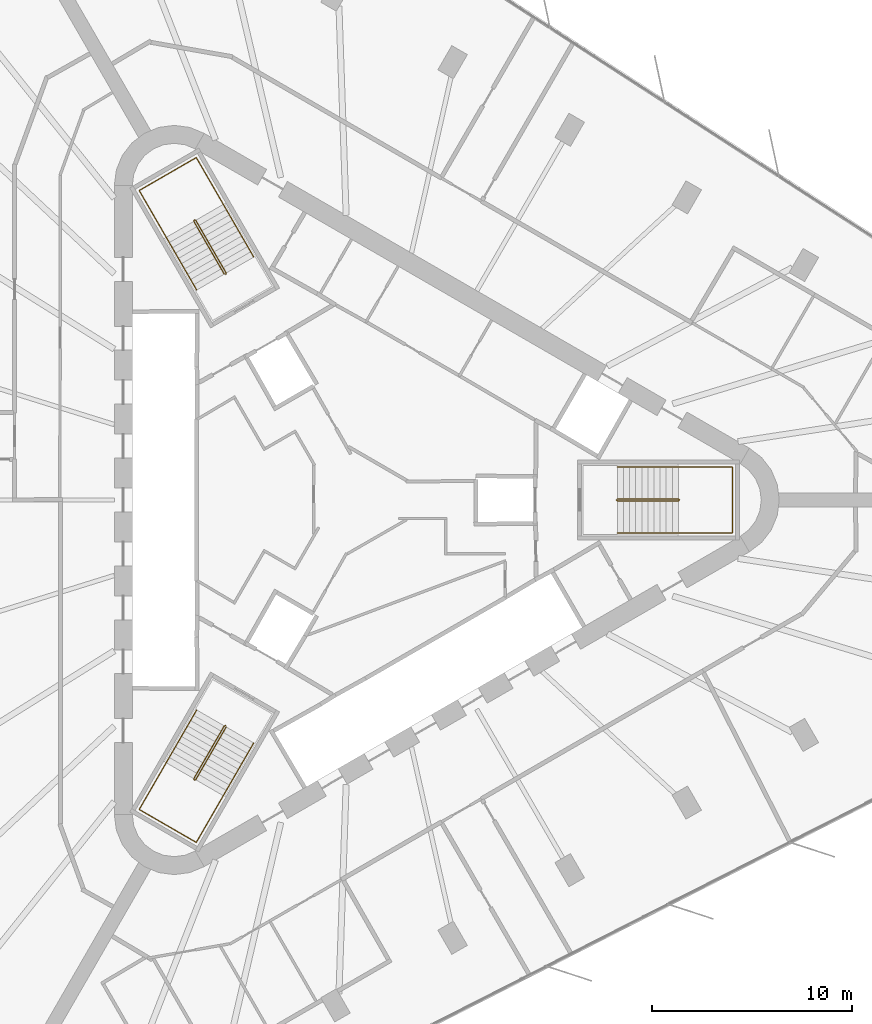
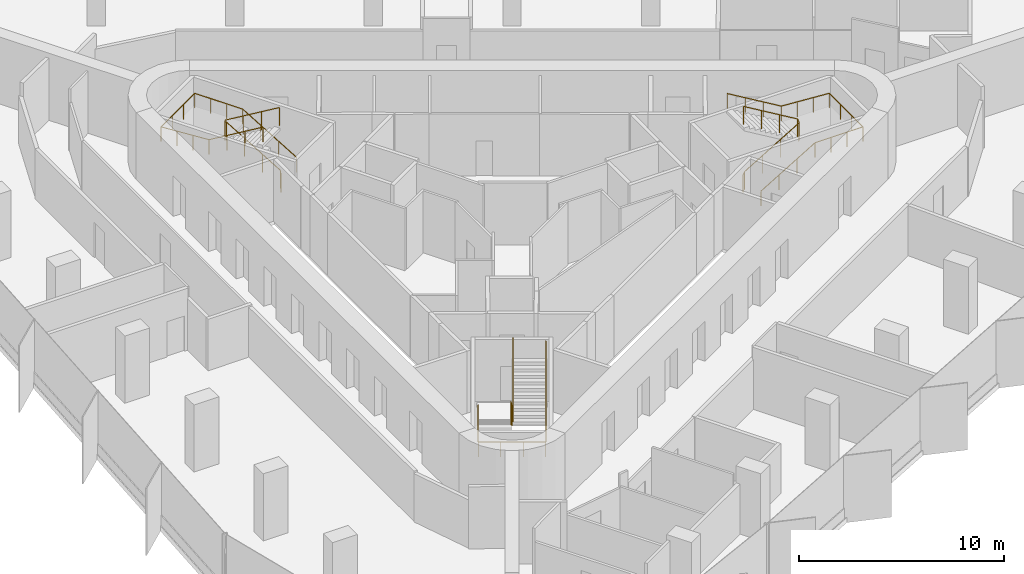
# One storey, part 14 of 14: 6 railings.
"""IFC4 building model written with IfcOpenShell, lengths in metres."""

import ifcopenshell
import ifcopenshell.guid

model = None  # the IFC model being written
_history = None  # IfcOwnerHistory: only IFC2X3 demands one
_inside = {}  # id of a spatial element -> (the spatial element, [elements in it])
_under = {}  # id of a project, library or spatial element -> (it, [spatial elements below it])
_declared = {}  # id of a project -> (the project, [libraries it declares])
_typed = {}  # id of a type object -> (the type object, [elements of that type])
_made_of = {}  # id of a material, layer set ... -> (it, [elements and type objects made of it])


def new_model(schema):
    """Start an empty IFC model of exactly this schema.

    Asked for "IFC4X3", IfcOpenShell would pick the latest addendum, in which some entities
    have other attributes; the version numbers below select the first issue.
    IFC2X3 requires an IfcOwnerHistory on every rooted entity: one is made here for all.
    """
    global model, _history
    if schema == "IFC4X3":
        model = ifcopenshell.file(schema_version=(4, 3, 0, 0))
    else:
        model = ifcopenshell.file(schema=schema)
    _inside.clear()
    _under.clear()
    _declared.clear()
    _typed.clear()
    _made_of.clear()
    _history = None
    if model.schema == "IFC2X3":
        org = make("IfcOrganization", Name="unknown")
        user = make(
            "IfcPersonAndOrganization",
            ThePerson=make("IfcPerson", FamilyName="unknown"),
            TheOrganization=org,
        )
        app = make(
            "IfcApplication",
            ApplicationDeveloper=org,
            Version="unknown",
            ApplicationFullName="unknown",
            ApplicationIdentifier="unknown",
        )
        _history = make(
            "IfcOwnerHistory",
            OwningUser=user,
            OwningApplication=app,
            ChangeAction="ADDED",
            CreationDate=0,
        )
    return model


def make(cls, **values):
    """One entity of the class cls with the attributes given. An attribute that is None is left unset."""
    return model.create_entity(
        cls, **{name: value for name, value in values.items() if value is not None}
    )


def rooted(cls, **values):
    """An entity with a GlobalId (a new one), such as an element, a storey or a relation."""
    return make(cls, GlobalId=ifcopenshell.guid.new(), OwnerHistory=_history, **values)


def si_unit(unit_type, name, prefix=None):
    """IfcSIUnit, for example si_unit("LENGTHUNIT", "METRE", prefix="MILLI")."""
    return make("IfcSIUnit", UnitType=unit_type, Prefix=prefix, Name=name)


def assignment(units):
    """IfcUnitAssignment: the units of a project."""
    return None if units is None else make("IfcUnitAssignment", Units=units)


def point(xyz):
    """IfcCartesianPoint."""
    return None if xyz is None else make("IfcCartesianPoint", Coordinates=xyz)


def direction(xyz):
    """IfcDirection."""
    return None if xyz is None else make("IfcDirection", DirectionRatios=xyz)


def frame(location, z_axis=None, x_axis=None):
    """IfcAxis2Placement3D, a coordinate frame: its origin and axes. An axis left out is left unset."""
    return make(
        "IfcAxis2Placement3D",
        Location=point(location),
        Axis=direction(z_axis),
        RefDirection=direction(x_axis),
    )


def frame_2d(location, x_axis=None):
    """IfcAxis2Placement2D, a coordinate frame in the plane: its origin and x axis."""
    return make(
        "IfcAxis2Placement2D", Location=point(location), RefDirection=direction(x_axis)
    )


def origin():
    """The frame at (0, 0, 0) with its axes left unset."""
    return frame((0.0, 0.0, 0.0))


def origin_2d():
    """The frame at (0, 0) in the plane with its x axis left unset."""
    return frame_2d((0.0, 0.0))


def place(relative_to, where):
    """IfcLocalPlacement: puts the frame where relative to a parent placement (None: the world)."""
    return make(
        "IfcLocalPlacement", PlacementRelTo=relative_to, RelativePlacement=where
    )


def context(
    kind, dimensions, precision=None, world=None, true_north=None, identifier=None
):
    """IfcGeometricRepresentationContext, for example the 3D "Model" context."""
    return make(
        "IfcGeometricRepresentationContext",
        ContextIdentifier=identifier,
        ContextType=kind,
        CoordinateSpaceDimension=dimensions,
        Precision=precision,
        WorldCoordinateSystem=world,
        TrueNorth=true_north,
    )


def subcontext(parent, identifier, kind, view, scale=None):
    """IfcGeometricRepresentationSubContext, for example "Body" below "Model"."""
    return make(
        "IfcGeometricRepresentationSubContext",
        ContextIdentifier=identifier,
        ContextType=kind,
        ParentContext=parent,
        TargetScale=scale,
        TargetView=view,
    )


def project(units=None, contexts=None):
    """IfcProject with its units and contexts."""
    return rooted(
        "IfcProject",
        Name="project",
        RepresentationContexts=contexts,
        UnitsInContext=assignment(units),
    )


def spatial(cls, under=None, at=None, **own):
    """A site, building, storey or space (cls), placed at a placement, below another one or the project."""
    s = rooted(cls, ObjectPlacement=at, **own)
    if under is not None:
        _under.setdefault(under.id(), (under, []))[1].append(s)
    return s


def profile(cls, at=None, kind="AREA", **sizes):
    """A parametric profile (cls). Its sizes go by their IFC names, for example OverallWidth=200.0."""
    return make(cls, ProfileType=kind, Position=at, **sizes)


def circle(**sizes):
    """IfcCircleProfileDef."""
    return profile("IfcCircleProfileDef", **sizes)


def extrude(swept, where, along, depth):
    """IfcExtrudedAreaSolid: the profile swept, set in the frame where, extruded along a direction by depth."""
    return make(
        "IfcExtrudedAreaSolid",
        SweptArea=swept,
        Position=where,
        ExtrudedDirection=direction(along),
        Depth=depth,
    )


def shape(context_of_items, identifier, shape_type, items):
    """IfcShapeRepresentation: the items that make up one representation, for example the "Body"."""
    return make(
        "IfcShapeRepresentation",
        ContextOfItems=context_of_items,
        RepresentationIdentifier=identifier,
        RepresentationType=shape_type,
        Items=items,
    )


def material(Name=None, Category=None):
    """IfcMaterial."""
    return make("IfcMaterial", Name=Name, Category=Category)


def made_of(thing, what):
    """Note that an element or type object is made of a material, layer set ...; save() writes the relation."""
    if what is not None:
        _made_of.setdefault(what.id(), (what, []))[1].append(thing)
    return thing


def type_object(cls, material=None, **own):
    """A type object (cls), such as IfcWallType, which elements share."""
    return made_of(rooted(cls, **own), material)


def element(
    cls,
    number,
    at=None,
    inside=None,
    cuts=None,
    type_object=None,
    material=None,
    context=None,
    identifier="Body",
    shape_type=None,
    held_by="IfcProductDefinitionShape",
    body=None,
    shapes=None,
    **own,
):
    """One element of the class cls, such as IfcWall. Its Tag is "e" and its number.

    at: its placement. inside: the storey or other place that contains it. cuts: it is an
    opening in that element (IfcRelVoidsElement). A single representation is given by context,
    identifier, shape_type and body (its items); several are given by shapes. held_by: the class
    of the entity that holds the representations. save() writes the other relations.
    """
    e = rooted(cls, Tag="e%d" % number, ObjectPlacement=at, **own)
    if body is not None:
        shapes = [shape(context, identifier, shape_type, body)]
    if shapes is not None:
        e.Representation = make(held_by, Representations=shapes)
    if inside is not None:
        _inside.setdefault(inside.id(), (inside, []))[1].append(e)
    if cuts is not None:
        rooted(
            "IfcRelVoidsElement", RelatingBuildingElement=cuts, RelatedOpeningElement=e
        )
    if type_object is not None:
        _typed.setdefault(type_object.id(), (type_object, []))[1].append(e)
    return made_of(e, material)


def aggregate(whole, parts):
    """IfcRelAggregates: a whole, such as a stair, and the parts it consists of."""
    return rooted("IfcRelAggregates", RelatingObject=whole, RelatedObjects=parts)


def save(model, path):
    """Write the relations noted so far, then the file.

    IfcRelAggregates (storeys below a building ...), IfcRelContainedInSpatialStructure (elements
    in a storey), IfcRelDefinesByType, IfcRelAssociatesMaterial and IfcRelDeclares: one each for
    every whole, place, type object, material and project.
    """
    for whole, parts in _under.values():
        aggregate(whole, parts)
    for where, things in _inside.values():
        rooted(
            "IfcRelContainedInSpatialStructure",
            RelatedElements=things,
            RelatingStructure=where,
        )
    for kind, things in _typed.values():
        rooted("IfcRelDefinesByType", RelatedObjects=things, RelatingType=kind)
    for what, things in _made_of.values():
        rooted("IfcRelAssociatesMaterial", RelatedObjects=things, RelatingMaterial=what)
    for by, libraries in _declared.values():
        rooted("IfcRelDeclares", RelatingContext=by, RelatedDefinitions=libraries)
    model.write(path)


model = new_model("IFC4")

# Units and contexts
model_context = context("Model", 3, precision=1e-05, world=origin(), true_north=direction((0.0, 1.0)))
body_context = subcontext(model_context, "Body", "Model", "MODEL_VIEW")
ifc_project = project(units=[si_unit("LENGTHUNIT", "METRE"), si_unit("AREAUNIT", "SQUARE_METRE"), si_unit("VOLUMEUNIT", "CUBIC_METRE"), si_unit("PLANEANGLEUNIT", "RADIAN"), si_unit("MASSUNIT", "GRAM", prefix="KILO")], contexts=[model_context])

# Site, building, storey
site_placement = place(None, origin())
site = spatial("IfcSite", under=ifc_project, at=site_placement, CompositionType="ELEMENT")
building_placement = place(site_placement, origin())
building = spatial("IfcBuilding", under=site, at=building_placement, Name="Tanit Gate Tower", CompositionType="ELEMENT")
storey_placement = place(building_placement, frame((0.0, 0.0, 253.199951171875)))
storey = spatial("IfcBuildingStorey", under=building, at=storey_placement, Name="L57", CompositionType="ELEMENT", Elevation=253.199951171875)

# Railings
ifc_material_1 = material(Name="Stainless steel balustrade", Category="steel")
railing_type_1 = type_object("IfcRailingType", Name="INT-STAIR-GUARD", PredefinedType="GUARDRAIL", material=ifc_material_1)
railing_1_placement = place(storey_placement, frame((13.044921875, 0.0048828125, 0.0)))
element("IfcRailing", 1, at=railing_1_placement, inside=storey, type_object=railing_type_1, Name="L57 S1 stair guard 1", PredefinedType="GUARDRAIL", context=body_context, shape_type="SweptSolid", body=[
    extrude(circle(Radius=0.02392578125, at=origin_2d()), frame((0.0, 0.0, 1.076171875), z_axis=(0.0, -1.0, 0.0), x_axis=(1.0, 0.0, 0.0)), (0.0, 0.0, 1.0), 0.009765625),
    extrude(circle(Radius=0.02392578125, at=origin_2d()), frame((0.0, -0.009765625, 1.076171875), z_axis=(0.256435381639, -0.256435381639, 0.931923704005), x_axis=(0.707106781187, 0.707106781187, 0.0)), (0.0, 0.0, 1.0), 0.195068359375),
    extrude(circle(Radius=0.02392578125, at=origin_2d()), frame((0.050048828125, -0.059814453125, 1.2578125), z_axis=(0.859041732319, 0.0, 0.511905559781), x_axis=(0.0, 1.0, 0.0)), (0.0, 0.0, 1.0), 3.5517578125),
    extrude(circle(Radius=0.02392578125, at=origin_2d()), frame((3.10107421875, -0.059814453125, 3.076171875), z_axis=(0.707106781187, 0.707106781187, 0.0), x_axis=(-0.707106781187, 0.707106781187, 0.0)), (0.0, 0.0, 1.0), 0.07080078125),
    extrude(circle(Radius=0.02392578125, at=origin_2d()), frame((3.151123046875, -0.009765625, 3.076171875), z_axis=(0.0, 1.0, 0.0), x_axis=(-1.0, 0.0, 0.0)), (0.0, 0.0, 1.0), 0.009765625),
    extrude(circle(Radius=0.02392578125, at=origin_2d()), frame((3.151123046875, 0.0, 3.076171875), z_axis=(-0.256435381639, 0.256435381639, 0.931923704005), x_axis=(-0.707106781187, -0.707106781187, 0.0)), (0.0, 0.0, 1.0), 0.195068359375),
    extrude(circle(Radius=0.02392578125, at=origin_2d()), frame((3.10107421875, 0.050048828125, 3.2578125), z_axis=(-0.859041732319, 0.0, 0.511905559781), x_axis=(0.0, -1.0, 0.0)), (0.0, 0.0, 1.0), 3.5517578125),
    extrude(circle(Radius=0.02099609375, at=origin_2d()), origin(), (0.0, 0.0, 1.0), 1.052001953125),
    extrude(circle(Radius=0.02099609375, at=origin_2d()), frame((0.0, -0.009765625, 0.0)), (0.0, 0.0, 1.0), 1.052001953125),
    extrude(circle(Radius=0.02099609375, at=origin_2d()), frame((0.050048828125, -0.059814453125, 0.181884765625)), (0.0, 0.0, 1.0), 1.052001953125),
    extrude(circle(Radius=0.02099609375, at=origin_2d()), frame((1.067138671875, -0.059814453125, 0.787841796875)), (0.0, 0.0, 1.0), 1.052001953125),
    extrude(circle(Radius=0.02099609375, at=origin_2d()), frame((2.083984375, -0.059814453125, 1.39404296875)), (0.0, 0.0, 1.0), 1.052001953125),
    extrude(circle(Radius=0.02099609375, at=origin_2d()), frame((3.10107421875, -0.059814453125, 2.0)), (0.0, 0.0, 1.0), 1.052001953125),
    extrude(circle(Radius=0.02099609375, at=origin_2d()), frame((3.151123046875, -0.009765625, 2.0)), (0.0, 0.0, 1.0), 1.052001953125),
    extrude(circle(Radius=0.02099609375, at=origin_2d()), frame((3.151123046875, 0.0, 2.0)), (0.0, 0.0, 1.0), 1.052001953125),
    extrude(circle(Radius=0.02099609375, at=origin_2d()), frame((3.10107421875, 0.050048828125, 2.181884765625)), (0.0, 0.0, 1.0), 1.052001953125),
    extrude(circle(Radius=0.02099609375, at=origin_2d()), frame((2.083984375, 0.050048828125, 2.787841796875)), (0.0, 0.0, 1.0), 1.052001953125),
    extrude(circle(Radius=0.02099609375, at=origin_2d()), frame((1.067138671875, 0.050048828125, 3.39404296875)), (0.0, 0.0, 1.0), 1.052001953125),
    extrude(circle(Radius=0.02099609375, at=origin_2d()), frame((0.050048828125, 0.050048828125, 4.0)), (0.0, 0.0, 1.0), 1.052001953125),
])
railing_2_placement = place(storey_placement, frame((-6.527099609375, 11.29345703125, 0.0)))
element("IfcRailing", 2, at=railing_2_placement, inside=storey, type_object=railing_type_1, Name="L57 S2 stair guard 1", PredefinedType="GUARDRAIL", context=body_context, shape_type="SweptSolid", body=[
    extrude(circle(Radius=0.02392578125, at=origin_2d()), frame((0.0, 0.0, 1.076171875), z_axis=(0.868243142124, 0.496138938357, 0.0), x_axis=(-0.496138938357, 0.868243142124, 0.0)), (0.0, 0.0, 1.0), 0.01171875),
    extrude(circle(Radius=0.02392578125, at=origin_2d()), frame((0.01025390625, 0.005859375, 1.076171875), z_axis=(0.093819657636, 0.350260055175, 0.93194193252), x_axis=(-0.965948051503, 0.258736085224, 0.0)), (0.0, 0.0, 1.0), 0.195068359375),
    extrude(circle(Radius=0.02392578125, at=origin_2d()), frame((0.028564453125, 0.07421875, 1.2578125), z_axis=(-0.429472220917, 0.743822504634, 0.512134448226), x_axis=(-0.866012246495, -0.500022788402, 0.0)), (0.0, 0.0, 1.0), 3.550048828125),
    extrude(circle(Radius=0.02392578125, at=origin_2d()), frame((-1.49609375, 2.71484375, 3.076171875), z_axis=(-0.965715946433, 0.259601060869, 0.0), x_axis=(-0.259601060869, -0.965715946433, 0.0)), (0.0, 0.0, 1.0), 0.070556640625),
    extrude(circle(Radius=0.02392578125, at=origin_2d()), frame((-1.564208984375, 2.733154296875, 3.076171875), z_axis=(-0.873197702015, -0.487366159264, 0.0), x_axis=(0.487366159264, -0.873197702015, 0.0)), (0.0, 0.0, 1.0), 0.011962890625),
    extrude(circle(Radius=0.02392578125, at=origin_2d()), frame((-1.57470703125, 2.727294921875, 3.076171875), z_axis=(-0.093819657636, -0.350260055175, 0.93194193252), x_axis=(0.965948051503, -0.258736085224, 0.0)), (0.0, 0.0, 1.0), 0.195068359375),
    extrude(circle(Radius=0.02392578125, at=origin_2d()), frame((-1.593017578125, 2.658935546875, 3.2578125), z_axis=(0.429472220917, -0.743822504634, 0.512134448226), x_axis=(0.866012246495, 0.500022788402, 0.0)), (0.0, 0.0, 1.0), 3.550048828125),
    extrude(circle(Radius=0.02099609375, at=origin_2d()), origin(), (0.0, 0.0, 1.0), 1.052001953125),
    extrude(circle(Radius=0.02099609375, at=origin_2d()), frame((0.01025390625, 0.005859375, 0.0)), (0.0, 0.0, 1.0), 1.052001953125),
    extrude(circle(Radius=0.02099609375, at=origin_2d()), frame((0.028564453125, 0.07421875, 0.181884765625)), (0.0, 0.0, 1.0), 1.052001953125),
    extrude(circle(Radius=0.02099609375, at=origin_2d()), frame((-0.479736328125, 0.954345703125, 0.787841796875)), (0.0, 0.0, 1.0), 1.052001953125),
    extrude(circle(Radius=0.02099609375, at=origin_2d()), frame((-0.98779296875, 1.834716796875, 1.39404296875)), (0.0, 0.0, 1.0), 1.052001953125),
    extrude(circle(Radius=0.02099609375, at=origin_2d()), frame((-1.49609375, 2.71484375, 2.0)), (0.0, 0.0, 1.0), 1.052001953125),
    extrude(circle(Radius=0.02099609375, at=origin_2d()), frame((-1.564208984375, 2.733154296875, 2.0)), (0.0, 0.0, 1.0), 1.052001953125),
    extrude(circle(Radius=0.02099609375, at=origin_2d()), frame((-1.57470703125, 2.727294921875, 2.0)), (0.0, 0.0, 1.0), 1.052001953125),
    extrude(circle(Radius=0.02099609375, at=origin_2d()), frame((-1.593017578125, 2.658935546875, 2.181884765625)), (0.0, 0.0, 1.0), 1.052001953125),
    extrude(circle(Radius=0.02099609375, at=origin_2d()), frame((-1.084716796875, 1.77880859375, 2.787841796875)), (0.0, 0.0, 1.0), 1.052001953125),
    extrude(circle(Radius=0.02099609375, at=origin_2d()), frame((-0.57666015625, 0.8984375, 3.39404296875)), (0.0, 0.0, 1.0), 1.052001953125),
    extrude(circle(Radius=0.02099609375, at=origin_2d()), frame((-0.068359375, 0.018310546875, 4.0)), (0.0, 0.0, 1.0), 1.052001953125),
])
railing_3_placement = place(storey_placement, frame((-6.51806640625, -11.2998046875, 0.0)))
element("IfcRailing", 3, at=railing_3_placement, inside=storey, type_object=railing_type_1, Name="L57 S3 stair guard 1", PredefinedType="GUARDRAIL", context=body_context, shape_type="SweptSolid", body=[
    extrude(circle(Radius=0.02392578125, at=origin_2d()), frame((0.0, 0.0, 1.076171875), z_axis=(-0.874157276122, 0.485642931179, 0.0), x_axis=(-0.485642931179, -0.874157276122, 0.0)), (0.0, 0.0, 1.0), 0.010009765625),
    extrude(circle(Radius=0.02392578125, at=origin_2d()), frame((-0.0087890625, 0.0048828125, 1.076171875), z_axis=(-0.350300895388, -0.092579522353, 0.932050596658), x_axis=(0.255512919477, -0.966805641264, 0.0)), (0.0, 0.0, 1.0), 0.195068359375),
    extrude(circle(Radius=0.02392578125, at=origin_2d()), frame((-0.0771484375, -0.01318359375, 1.2578125), z_axis=(-0.429486674828, -0.743971555965, 0.511905772639), x_axis=(0.866048339477, -0.499960272111, 0.0)), (0.0, 0.0, 1.0), 3.5517578125),
    extrude(circle(Radius=0.02392578125, at=origin_2d()), frame((-1.6025390625, -2.655517578125, 3.076171875), z_axis=(0.258736085224, -0.965948051503, 0.0), x_axis=(0.965948051503, 0.258736085224, 0.0)), (0.0, 0.0, 1.0), 0.07080078125),
    extrude(circle(Radius=0.02392578125, at=origin_2d()), frame((-1.584228515625, -2.723876953125, 3.076171875), z_axis=(0.868243142124, -0.496138938357, 0.0), x_axis=(0.496138938357, 0.868243142124, 0.0)), (0.0, 0.0, 1.0), 0.009765625),
    extrude(circle(Radius=0.02392578125, at=origin_2d()), frame((-1.57568359375, -2.728759765625, 3.076171875), z_axis=(0.350260055175, 0.093819657636, 0.93194193252), x_axis=(-0.258736085224, 0.965948051503, 0.0)), (0.0, 0.0, 1.0), 0.195068359375),
    extrude(circle(Radius=0.02392578125, at=origin_2d()), frame((-1.50732421875, -2.71044921875, 3.2578125), z_axis=(0.429564698942, 0.743918894535, 0.511916836777), x_axis=(-0.865993683553, 0.500054937028, 0.0)), (0.0, 0.0, 1.0), 3.551513671875),
    extrude(circle(Radius=0.02099609375, at=origin_2d()), origin(), (0.0, 0.0, 1.0), 1.052001953125),
    extrude(circle(Radius=0.02099609375, at=origin_2d()), frame((-0.0087890625, 0.0048828125, 0.0)), (0.0, 0.0, 1.0), 1.052001953125),
    extrude(circle(Radius=0.02099609375, at=origin_2d()), frame((-0.0771484375, -0.01318359375, 0.181884765625)), (0.0, 0.0, 1.0), 1.052001953125),
    extrude(circle(Radius=0.02099609375, at=origin_2d()), frame((-0.585693359375, -0.89404296875, 0.787841796875)), (0.0, 0.0, 1.0), 1.052001953125),
    extrude(circle(Radius=0.02099609375, at=origin_2d()), frame((-1.093994140625, -1.774658203125, 1.39404296875)), (0.0, 0.0, 1.0), 1.052001953125),
    extrude(circle(Radius=0.02099609375, at=origin_2d()), frame((-1.6025390625, -2.655517578125, 2.0)), (0.0, 0.0, 1.0), 1.052001953125),
    extrude(circle(Radius=0.02099609375, at=origin_2d()), frame((-1.584228515625, -2.723876953125, 2.0)), (0.0, 0.0, 1.0), 1.052001953125),
    extrude(circle(Radius=0.02099609375, at=origin_2d()), frame((-1.57568359375, -2.728759765625, 2.0)), (0.0, 0.0, 1.0), 1.052001953125),
    extrude(circle(Radius=0.02099609375, at=origin_2d()), frame((-1.50732421875, -2.71044921875, 2.181884765625)), (0.0, 0.0, 1.0), 1.052001953125),
    extrude(circle(Radius=0.02099609375, at=origin_2d()), frame((-0.998779296875, -1.829833984375, 2.787841796875)), (0.0, 0.0, 1.0), 1.052001953125),
    extrude(circle(Radius=0.02099609375, at=origin_2d()), frame((-0.490234375, -0.948974609375, 3.39404296875)), (0.0, 0.0, 1.0), 1.052001953125),
    extrude(circle(Radius=0.02099609375, at=origin_2d()), frame((0.018310546875, -0.068359375, 4.0)), (0.0, 0.0, 1.0), 1.052001953125),
])
ifc_material_2 = material(Name="Stainless steel handrail", Category="steel")
railing_type_2 = type_object("IfcRailingType", Name="INT-STAIR-HANDRAIL", PredefinedType="HANDRAIL", material=ifc_material_2)
railing_4_placement = place(storey_placement, frame((13.094970703125, -1.64990234375, 0.181884765625)))
element("IfcRailing", 4, at=railing_4_placement, inside=storey, type_object=railing_type_2, Name="L57 S1 stair handrail 1", PredefinedType="HANDRAIL", context=body_context, shape_type="SweptSolid", body=[
    extrude(circle(Radius=0.02392578125, at=origin_2d()), frame((0.0, 0.0, 0.8759765625), z_axis=(0.859041732319, 0.0, 0.511905559781), x_axis=(0.0, 1.0, 0.0)), (0.0, 0.0, 1.0), 3.5517578125),
    extrude(circle(Radius=0.02392578125, at=origin_2d()), frame((3.051025390625, 0.0, 2.69384765625), z_axis=(1.0, 0.0, 0.0), x_axis=(0.0, 1.0, 0.0)), (0.0, 0.0, 1.0), 2.7041015625),
    extrude(circle(Radius=0.02392578125, at=origin_2d()), frame((5.755126953125, 0.0, 2.69384765625), z_axis=(0.0, 1.0, 0.0), x_axis=(-1.0, 0.0, 0.0)), (0.0, 0.0, 1.0), 3.2998046875),
    extrude(circle(Radius=0.02392578125, at=origin_2d()), frame((5.755126953125, 3.2998046875, 2.69384765625), z_axis=(-0.997745521698, 0.0, 0.067110907698), x_axis=(0.0, -1.0, 0.0)), (0.0, 0.0, 1.0), 2.710205078125),
    extrude(circle(Radius=0.02392578125, at=origin_2d()), frame((3.051025390625, 3.2998046875, 2.8759765625), z_axis=(-0.859041732319, 0.0, 0.511905559781), x_axis=(0.0, -1.0, 0.0)), (0.0, 0.0, 1.0), 3.5517578125),
    extrude(circle(Radius=0.02099609375, at=origin_2d()), origin(), (0.0, 0.0, 1.0), 0.851806640625),
    extrude(circle(Radius=0.02099609375, at=origin_2d()), frame((1.01708984375, 0.0, 0.60595703125)), (0.0, 0.0, 1.0), 0.851806640625),
    extrude(circle(Radius=0.02099609375, at=origin_2d()), frame((2.033935546875, 0.0, 1.212158203125)), (0.0, 0.0, 1.0), 0.851806640625),
    extrude(circle(Radius=0.02099609375, at=origin_2d()), frame((3.051025390625, 0.0, 1.818115234375)), (0.0, 0.0, 1.0), 0.851806640625),
    extrude(circle(Radius=0.02099609375, at=origin_2d()), frame((3.952392578125, 0.0, 1.818115234375)), (0.0, 0.0, 1.0), 0.851806640625),
    extrude(circle(Radius=0.02099609375, at=origin_2d()), frame((4.853759765625, 0.0, 1.818115234375)), (0.0, 0.0, 1.0), 0.851806640625),
    extrude(circle(Radius=0.02099609375, at=origin_2d()), frame((5.755126953125, 0.0, 1.818115234375)), (0.0, 0.0, 1.0), 0.851806640625),
    extrude(circle(Radius=0.02099609375, at=origin_2d()), frame((5.755126953125, 1.099853515625, 1.818115234375)), (0.0, 0.0, 1.0), 0.851806640625),
    extrude(circle(Radius=0.02099609375, at=origin_2d()), frame((5.755126953125, 2.199951171875, 1.818115234375)), (0.0, 0.0, 1.0), 0.851806640625),
    extrude(circle(Radius=0.02099609375, at=origin_2d()), frame((5.755126953125, 3.2998046875, 1.818115234375)), (0.0, 0.0, 1.0), 0.851806640625),
    extrude(circle(Radius=0.02099609375, at=origin_2d()), frame((4.853759765625, 3.2998046875, 1.878662109375)), (0.0, 0.0, 1.0), 0.851806640625),
    extrude(circle(Radius=0.02099609375, at=origin_2d()), frame((3.952392578125, 3.2998046875, 1.939453125)), (0.0, 0.0, 1.0), 0.851806640625),
    extrude(circle(Radius=0.02099609375, at=origin_2d()), frame((3.051025390625, 3.2998046875, 2.0)), (0.0, 0.0, 1.0), 0.851806640625),
    extrude(circle(Radius=0.02099609375, at=origin_2d()), frame((2.033935546875, 3.2998046875, 2.60595703125)), (0.0, 0.0, 1.0), 0.851806640625),
    extrude(circle(Radius=0.02099609375, at=origin_2d()), frame((1.01708984375, 3.2998046875, 3.212158203125)), (0.0, 0.0, 1.0), 0.851806640625),
    extrude(circle(Radius=0.02099609375, at=origin_2d()), frame((0.0, 3.2998046875, 3.818115234375)), (0.0, 0.0, 1.0), 0.851806640625),
])
railing_5_placement = place(storey_placement, frame((-5.1181640625, 12.164794921875, 0.181884765625)))
element("IfcRailing", 5, at=railing_5_placement, inside=storey, type_object=railing_type_2, Name="L57 S2 stair handrail 1", PredefinedType="HANDRAIL", context=body_context, shape_type="SweptSolid", body=[
    extrude(circle(Radius=0.02392578125, at=origin_2d()), frame((0.0, 0.0, 0.8759765625), z_axis=(-0.429416132344, 0.743844472684, 0.512149573602), x_axis=(-0.866046917185, -0.499962735845, 0.0)), (0.0, 0.0, 1.0), 3.550048828125),
    extrude(circle(Radius=0.02392578125, at=origin_2d()), frame((-1.5244140625, 2.640625, 2.69384765625), z_axis=(-0.500019123664, 0.86601436245, 0.0), x_axis=(-0.86601436245, -0.500019123664, 0.0)), (0.0, 0.0, 1.0), 2.70703125),
    extrude(circle(Radius=0.02392578125, at=origin_2d()), frame((-2.8779296875, 4.98486328125, 2.69384765625), z_axis=(-0.866008176907, -0.50002983664, 0.0), x_axis=(0.50002983664, -0.866008176907, 0.0)), (0.0, 0.0, 1.0), 3.300048828125),
    extrude(circle(Radius=0.02392578125, at=origin_2d()), frame((-5.73583984375, 3.334716796875, 2.69384765625), z_axis=(0.498932980467, -0.864043208057, 0.067046369128), x_axis=(0.865991810323, 0.500058181068, 0.0)), (0.0, 0.0, 1.0), 2.712890625),
    extrude(circle(Radius=0.02392578125, at=origin_2d()), frame((-4.38232421875, 0.99072265625, 2.8759765625), z_axis=(0.429450252752, -0.743853224023, 0.512108251761), x_axis=(0.866032263162, 0.499988119021, 0.0)), (0.0, 0.0, 1.0), 3.55029296875),
    extrude(circle(Radius=0.02099609375, at=origin_2d()), origin(), (0.0, 0.0, 1.0), 0.851806640625),
    extrude(circle(Radius=0.02099609375, at=origin_2d()), frame((-0.508056640625, 0.880126953125, 0.60595703125)), (0.0, 0.0, 1.0), 0.851806640625),
    extrude(circle(Radius=0.02099609375, at=origin_2d()), frame((-1.016357421875, 1.760498046875, 1.212158203125)), (0.0, 0.0, 1.0), 0.851806640625),
    extrude(circle(Radius=0.02099609375, at=origin_2d()), frame((-1.5244140625, 2.640625, 1.818115234375)), (0.0, 0.0, 1.0), 0.851806640625),
    extrude(circle(Radius=0.02099609375, at=origin_2d()), frame((-1.9755859375, 3.422119140625, 1.818115234375)), (0.0, 0.0, 1.0), 0.851806640625),
    extrude(circle(Radius=0.02099609375, at=origin_2d()), frame((-2.4267578125, 4.203369140625, 1.818115234375)), (0.0, 0.0, 1.0), 0.851806640625),
    extrude(circle(Radius=0.02099609375, at=origin_2d()), frame((-2.8779296875, 4.98486328125, 1.818115234375)), (0.0, 0.0, 1.0), 0.851806640625),
    extrude(circle(Radius=0.02099609375, at=origin_2d()), frame((-3.83056640625, 4.434814453125, 1.818115234375)), (0.0, 0.0, 1.0), 0.851806640625),
    extrude(circle(Radius=0.02099609375, at=origin_2d()), frame((-4.783203125, 3.884765625, 1.818115234375)), (0.0, 0.0, 1.0), 0.851806640625),
    extrude(circle(Radius=0.02099609375, at=origin_2d()), frame((-5.73583984375, 3.334716796875, 1.818115234375)), (0.0, 0.0, 1.0), 0.851806640625),
    extrude(circle(Radius=0.02099609375, at=origin_2d()), frame((-5.28466796875, 2.553466796875, 1.878662109375)), (0.0, 0.0, 1.0), 0.851806640625),
    extrude(circle(Radius=0.02099609375, at=origin_2d()), frame((-4.83349609375, 1.77197265625, 1.939453125)), (0.0, 0.0, 1.0), 0.851806640625),
    extrude(circle(Radius=0.02099609375, at=origin_2d()), frame((-4.38232421875, 0.99072265625, 2.0)), (0.0, 0.0, 1.0), 0.851806640625),
    extrude(circle(Radius=0.02099609375, at=origin_2d()), frame((-3.8740234375, 0.1103515625, 2.60595703125)), (0.0, 0.0, 1.0), 0.851806640625),
    extrude(circle(Radius=0.02099609375, at=origin_2d()), frame((-3.365966796875, -0.769775390625, 3.212158203125)), (0.0, 0.0, 1.0), 0.851806640625),
    extrude(circle(Radius=0.02099609375, at=origin_2d()), frame((-2.857666015625, -1.650146484375, 3.818115234375)), (0.0, 0.0, 1.0), 0.851806640625),
])
railing_6_placement = place(storey_placement, frame((-7.9765625, -10.515625, 0.181884765625)))
element("IfcRailing", 6, at=railing_6_placement, inside=storey, type_object=railing_type_2, Name="L57 S3 stair handrail 1", PredefinedType="HANDRAIL", context=body_context, shape_type="SweptSolid", body=[
    extrude(circle(Radius=0.02392578125, at=origin_2d()), frame((0.0, 0.0, 0.8759765625), z_axis=(-0.429486674828, -0.743971555965, 0.511905772639), x_axis=(0.866048339477, -0.499960272111, 0.0)), (0.0, 0.0, 1.0), 3.5517578125),
    extrude(circle(Radius=0.02392578125, at=origin_2d()), frame((-1.525390625, -2.642333984375, 2.69384765625), z_axis=(-0.50004290449, -0.866000631449, 0.0), x_axis=(0.866000631449, -0.50004290449, 0.0)), (0.0, 0.0, 1.0), 2.703857421875),
    extrude(circle(Radius=0.02392578125, at=origin_2d()), frame((-2.87744140625, -4.98388671875, 2.69384765625), z_axis=(0.866008176907, -0.50002983664, 0.0), x_axis=(0.50002983664, 0.866008176907, 0.0)), (0.0, 0.0, 1.0), 3.300048828125),
    extrude(circle(Radius=0.02392578125, at=origin_2d()), frame((-0.01953125, -6.634033203125, 2.69384765625), z_axis=(0.498876541924, 0.864070745781, 0.067111416348), x_axis=(-0.866023205937, 0.500003806764, 0.0)), (0.0, 0.0, 1.0), 2.710205078125),
    extrude(circle(Radius=0.02392578125, at=origin_2d()), frame((1.33251953125, -4.292236328125, 2.8759765625), z_axis=(0.429486674828, 0.743971555965, 0.511905772639), x_axis=(-0.866048339477, 0.499960272111, 0.0)), (0.0, 0.0, 1.0), 3.5517578125),
    extrude(circle(Radius=0.02099609375, at=origin_2d()), origin(), (0.0, 0.0, 1.0), 0.851806640625),
    extrude(circle(Radius=0.02099609375, at=origin_2d()), frame((-0.508544921875, -0.880859375, 0.60595703125)), (0.0, 0.0, 1.0), 0.851806640625),
    extrude(circle(Radius=0.02099609375, at=origin_2d()), frame((-1.016845703125, -1.761474609375, 1.212158203125)), (0.0, 0.0, 1.0), 0.851806640625),
    extrude(circle(Radius=0.02099609375, at=origin_2d()), frame((-1.525390625, -2.642333984375, 1.818115234375)), (0.0, 0.0, 1.0), 0.851806640625),
    extrude(circle(Radius=0.02099609375, at=origin_2d()), frame((-1.97607421875, -3.4228515625, 1.818115234375)), (0.0, 0.0, 1.0), 0.851806640625),
    extrude(circle(Radius=0.02099609375, at=origin_2d()), frame((-2.4267578125, -4.203369140625, 1.818115234375)), (0.0, 0.0, 1.0), 0.851806640625),
    extrude(circle(Radius=0.02099609375, at=origin_2d()), frame((-2.87744140625, -4.98388671875, 1.818115234375)), (0.0, 0.0, 1.0), 0.851806640625),
    extrude(circle(Radius=0.02099609375, at=origin_2d()), frame((-1.9248046875, -5.533935546875, 1.818115234375)), (0.0, 0.0, 1.0), 0.851806640625),
    extrude(circle(Radius=0.02099609375, at=origin_2d()), frame((-0.97216796875, -6.083984375, 1.818115234375)), (0.0, 0.0, 1.0), 0.851806640625),
    extrude(circle(Radius=0.02099609375, at=origin_2d()), frame((-0.01953125, -6.634033203125, 1.818115234375)), (0.0, 0.0, 1.0), 0.851806640625),
    extrude(circle(Radius=0.02099609375, at=origin_2d()), frame((0.43115234375, -5.853515625, 1.878662109375)), (0.0, 0.0, 1.0), 0.851806640625),
    extrude(circle(Radius=0.02099609375, at=origin_2d()), frame((0.8818359375, -5.07275390625, 1.939453125)), (0.0, 0.0, 1.0), 0.851806640625),
    extrude(circle(Radius=0.02099609375, at=origin_2d()), frame((1.33251953125, -4.292236328125, 2.0)), (0.0, 0.0, 1.0), 0.851806640625),
    extrude(circle(Radius=0.02099609375, at=origin_2d()), frame((1.841064453125, -3.411376953125, 2.60595703125)), (0.0, 0.0, 1.0), 0.851806640625),
    extrude(circle(Radius=0.02099609375, at=origin_2d()), frame((2.349365234375, -2.53076171875, 3.212158203125)), (0.0, 0.0, 1.0), 0.851806640625),
    extrude(circle(Radius=0.02099609375, at=origin_2d()), frame((2.85791015625, -1.64990234375, 3.818115234375)), (0.0, 0.0, 1.0), 0.851806640625),
])

save(model, "model.ifc")
